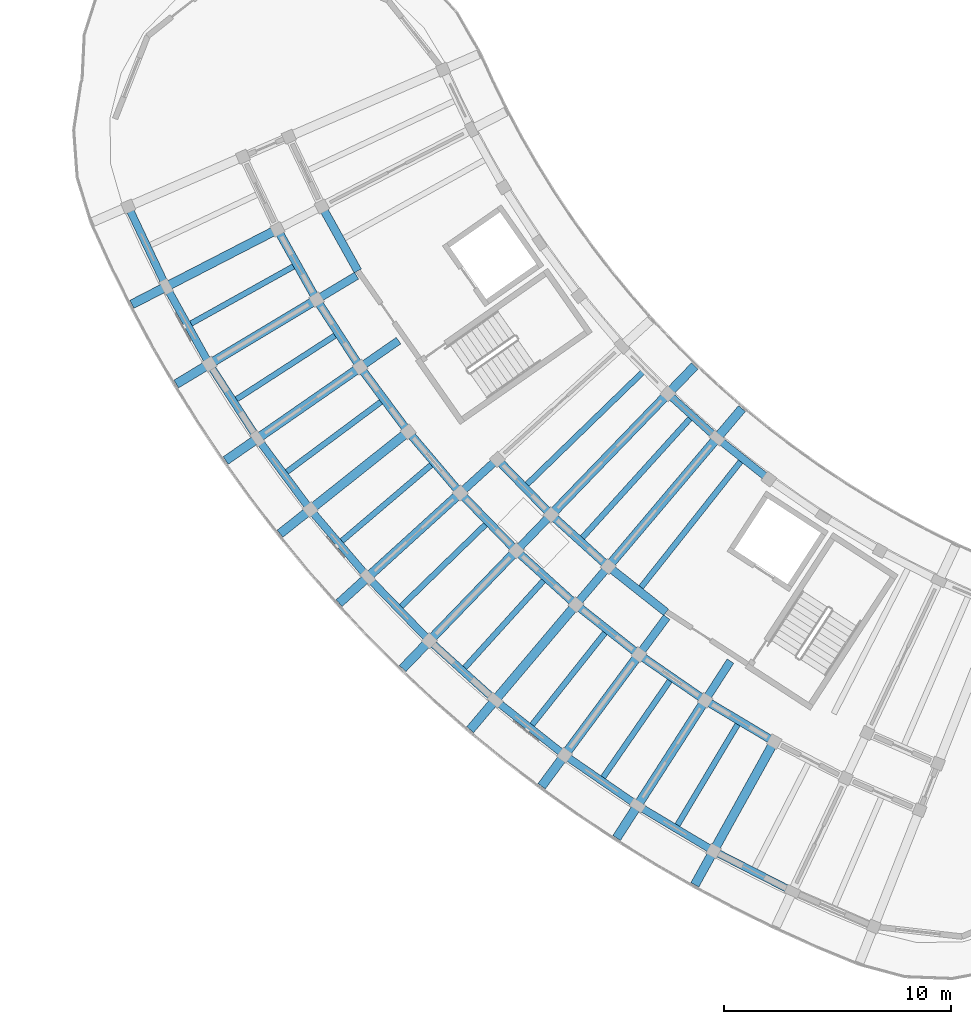
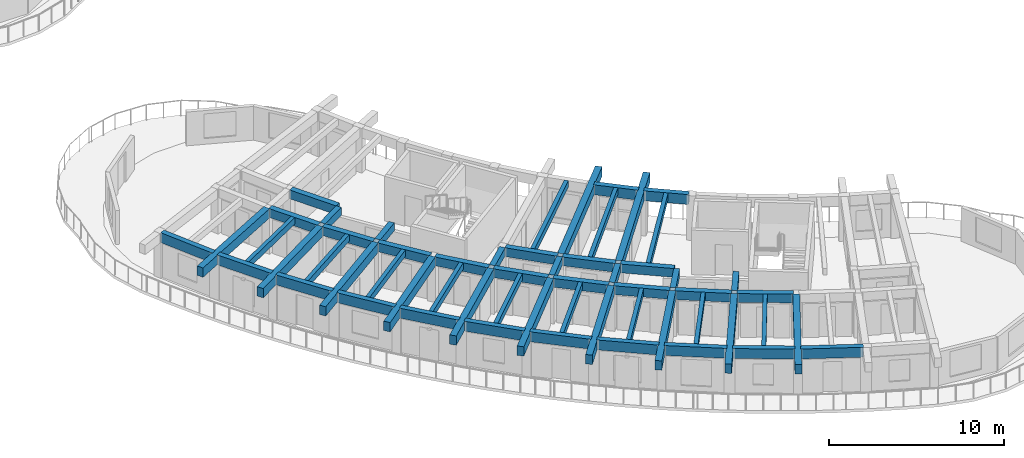
# One storey, part 3 of 56: 57 beams.
"""IFC4 building model written with IfcOpenShell, lengths in metres."""

from ifc_helpers import new_model, si_unit, direction, frame, origin, origin_2d, place, context, subcontext, project, spatial, rectangle, extrude, material, material_profile, profile_set, type_object, element, save


model = new_model("IFC4")

# Units and contexts
model_context = context("Model", 3, precision=1e-05, world=origin(), true_north=direction((0.0, 1.0)))
body_context = subcontext(model_context, "Body", "Model", "MODEL_VIEW")
ifc_project = project(units=[si_unit("LENGTHUNIT", "METRE"), si_unit("AREAUNIT", "SQUARE_METRE"), si_unit("VOLUMEUNIT", "CUBIC_METRE"), si_unit("PLANEANGLEUNIT", "RADIAN"), si_unit("MASSUNIT", "GRAM", prefix="KILO")], contexts=[model_context])

# Site, building, storey
site_placement = place(None, origin())
site = spatial("IfcSite", under=ifc_project, at=site_placement, CompositionType="ELEMENT")
building_placement = place(site_placement, origin())
building = spatial("IfcBuilding", under=site, at=building_placement, Name="Tanwirah Colonnade Gardens", CompositionType="ELEMENT")
storey_placement = place(building_placement, frame((0.0, 0.0, 29.0)))
storey = spatial("IfcBuildingStorey", under=building, at=storey_placement, Name="L08", CompositionType="ELEMENT", Elevation=29.0)

# Beams
ifc_material_1 = material(Name="Precast concrete C40/50", Category="concrete")
ifc_material_profile_1 = material_profile(ifc_material_1, rectangle(XDim=0.360107421875, YDim=0.610107421875, at=origin_2d()), Name="PC-BM 360x610")
ifc_profile_set_1 = profile_set([ifc_material_profile_1], Name="Precast concrete C40/50")
beam_type_1 = type_object("IfcBeamType", Name="BM-PC300", PredefinedType="BEAM", material=ifc_profile_set_1)
beam_1_placement = place(storey_placement, frame((18.9775390625, 40.628173828125, 2.81005859375), z_axis=(0.486708181837, -0.873564620239, 0.0), x_axis=(0.873564620239, 0.486708181837, 0.0)))
element("IfcBeam", 1, at=beam_1_placement, inside=storey, type_object=beam_type_1, Name="Block C L08 Circumferential Beam 3-R1", PredefinedType="BEAM", context=body_context, shape_type="SweptSolid", body=[
    extrude(rectangle(XDim=0.360107421875, YDim=0.610107421875, at=origin_2d()), origin(), (0.0, 0.0, 1.0), 3.093017578125),
])
for number, where, z_axis, x_axis, name in (
    (2, (17.021728515625, 39.620849609375, 2.81005859375), (0.486712025227, -0.873562478875, 0.0), (0.873562478875, 0.486712025227, 0.0), "Block C L08 Circumferential Beam 3-R2"),
    (3, (18.75146484375, 36.5361328125, 2.81005859375), (0.542825891173, -0.839845254718, 0.0), (0.839845254718, 0.542825891173, 0.0), "Block C L08 Circumferential Beam 4-R2"),
):
    element("IfcBeam", number, at=place(storey_placement, frame(where, z_axis=z_axis, x_axis=x_axis)), inside=storey, type_object=beam_type_1, Name=name, PredefinedType="BEAM", context=body_context, shape_type="SweptSolid", body=[
        extrude(rectangle(XDim=0.360107421875, YDim=0.610107421875, at=origin_2d()), origin(), (0.0, 0.0, 1.0), 3.23681640625),
    ])
beam_2_placement = place(storey_placement, frame((20.679443359375, 33.5712890625, 2.81005859375), z_axis=(0.596579473879, -0.802554005252, 0.0), x_axis=(0.802554005252, 0.596579473879, 0.0)))
element("IfcBeam", 4, at=beam_2_placement, inside=storey, type_object=beam_type_1, Name="Block C L08 Circumferential Beam 5-R2", PredefinedType="BEAM", context=body_context, shape_type="SweptSolid", body=[
    extrude(rectangle(XDim=0.360107421875, YDim=0.610107421875, at=origin_2d()), origin(), (0.0, 0.0, 1.0), 3.237060546875),
])
beam_3_placement = place(storey_placement, frame((22.797119140625, 30.73876953125, 2.81005859375), z_axis=(0.6478235549, -0.761790418499, 0.0), x_axis=(0.761790418499, 0.6478235549, 0.0)))
element("IfcBeam", 5, at=beam_3_placement, inside=storey, type_object=beam_type_1, Name="Block C L08 Circumferential Beam 6-R2", PredefinedType="BEAM", context=body_context, shape_type="SweptSolid", body=[
    extrude(rectangle(XDim=0.360107421875, YDim=0.610107421875, at=origin_2d()), origin(), (0.0, 0.0, 1.0), 3.23681640625),
])
beam_4_placement = place(storey_placement, frame((26.72412109375, 29.530029296875, 2.81005859375), z_axis=(0.696209937932, -0.71783822852, 0.0), x_axis=(0.71783822852, 0.696209937932, 0.0)))
element("IfcBeam", 6, at=beam_4_placement, inside=storey, type_object=beam_type_1, Name="Block C L08 Circumferential Beam 7-R1", PredefinedType="BEAM", context=body_context, shape_type="SweptSolid", body=[
    extrude(rectangle(XDim=0.360107421875, YDim=0.610107421875, at=origin_2d()), origin(), (0.0, 0.0, 1.0), 3.093017578125),
])
beam_5_placement = place(storey_placement, frame((25.095703125, 28.05078125, 2.81005859375), z_axis=(0.696238887656, -0.717810149911, 0.0), x_axis=(0.717810149911, 0.696238887656, 0.0)))
element("IfcBeam", 7, at=beam_5_placement, inside=storey, type_object=beam_type_1, Name="Block C L08 Circumferential Beam 7-R2", PredefinedType="BEAM", context=body_context, shape_type="SweptSolid", body=[
    extrude(rectangle(XDim=0.360107421875, YDim=0.610107421875, at=origin_2d()), origin(), (0.0, 0.0, 1.0), 3.23681640625),
])
beam_6_placement = place(storey_placement, frame((29.09326171875, 27.1015625, 2.81005859375), z_axis=(0.741698455559, -0.670733479873, 0.0), x_axis=(0.670733479873, 0.741698455559, 0.0)))
element("IfcBeam", 8, at=beam_6_placement, inside=storey, type_object=beam_type_1, Name="Block C L08 Circumferential Beam 8-R1", PredefinedType="BEAM", context=body_context, shape_type="SweptSolid", body=[
    extrude(rectangle(XDim=0.360107421875, YDim=0.610107421875, at=origin_2d()), origin(), (0.0, 0.0, 1.0), 3.0927734375),
])
beam_7_placement = place(storey_placement, frame((27.56494140625, 25.51904296875, 2.81005859375), z_axis=(0.741701929733, -0.670729638104, 0.0), x_axis=(0.670729638104, 0.741701929733, 0.0)))
element("IfcBeam", 9, at=beam_7_placement, inside=storey, type_object=beam_type_1, Name="Block C L08 Circumferential Beam 8-R2", PredefinedType="BEAM", context=body_context, shape_type="SweptSolid", body=[
    extrude(rectangle(XDim=0.360107421875, YDim=0.610107421875, at=origin_2d()), origin(), (0.0, 0.0, 1.0), 3.237060546875),
])
beam_8_placement = place(storey_placement, frame((31.615966796875, 24.833251953125, 2.81005859375), z_axis=(0.783962588163, -0.62080807047, 0.0), x_axis=(0.62080807047, 0.783962588163, 0.0)))
element("IfcBeam", 10, at=beam_8_placement, inside=storey, type_object=beam_type_1, Name="Block C L08 Circumferential Beam 9-R1", PredefinedType="BEAM", context=body_context, shape_type="SweptSolid", body=[
    extrude(rectangle(XDim=0.360107421875, YDim=0.610107421875, at=origin_2d()), origin(), (0.0, 0.0, 1.0), 3.093017578125),
])
beam_9_placement = place(storey_placement, frame((30.194580078125, 23.154052734375, 2.81005859375), z_axis=(0.783993819374, -0.620768629349, 0.0), x_axis=(0.620768629349, 0.783993819374, 0.0)))
element("IfcBeam", 11, at=beam_9_placement, inside=storey, type_object=beam_type_1, Name="Block C L08 Circumferential Beam 9-R2", PredefinedType="BEAM", context=body_context, shape_type="SweptSolid", body=[
    extrude(rectangle(XDim=0.360107421875, YDim=0.610107421875, at=origin_2d()), origin(), (0.0, 0.0, 1.0), 3.23681640625),
])
beam_10_placement = place(storey_placement, frame((32.97314453125, 20.96630859375, 2.81005859375), z_axis=(0.822889344221, -0.568201660651, 0.0), x_axis=(0.568201660651, 0.822889344221, 0.0)))
element("IfcBeam", 12, at=beam_10_placement, inside=storey, type_object=beam_type_1, Name="Block C L08 Circumferential Beam 10-R2", PredefinedType="BEAM", context=body_context, shape_type="SweptSolid", body=[
    extrude(rectangle(XDim=0.360107421875, YDim=0.610107421875, at=origin_2d()), origin(), (0.0, 0.0, 1.0), 3.237060546875),
])
beam_11_placement = place(storey_placement, frame((35.88916015625, 18.96484375, 2.81005859375), z_axis=(0.858270604513, -0.513197398111, 0.0), x_axis=(0.513197398111, 0.858270604513, 0.0)))
element("IfcBeam", 13, at=beam_11_placement, inside=storey, type_object=beam_type_1, Name="Block C L08 Circumferential Beam 11-R2", PredefinedType="BEAM", context=body_context, shape_type="SweptSolid", body=[
    extrude(rectangle(XDim=0.360107421875, YDim=0.610107421875, at=origin_2d()), origin(), (0.0, 0.0, 1.0), 3.23681640625),
])
ifc_material_profile_2 = material_profile(ifc_material_1, rectangle(XDim=0.35009765625, YDim=0.550048828125, at=origin_2d()), Name="PC-BM 350x550")
ifc_profile_set_2 = profile_set([ifc_material_profile_2], Name="Precast concrete C40/50")
beam_type_2 = type_object("IfcBeamType", Name="BM-PC350A", PredefinedType="BEAM", material=ifc_profile_set_2)
beam_12_placement = place(storey_placement, frame((20.42724609375, 37.718017578125, 2.840087890625), z_axis=(-0.857186654737, -0.515005863017, 0.0), x_axis=(0.515005863017, -0.857186654737, 0.0)))
element("IfcBeam", 14, at=beam_12_placement, inside=storey, type_object=beam_type_2, Name="Block C L08 Corridor Tie Beam 4", PredefinedType="BEAM", context=body_context, shape_type="SweptSolid", body=[
    extrude(rectangle(XDim=0.35009765625, YDim=0.550048828125, at=origin_2d()), origin(), (0.0, 0.0, 1.0), 1.89990234375),
])
beam_13_placement = place(storey_placement, frame((22.2744140625, 34.860107421875, 2.840087890625), z_axis=(-0.821669163201, -0.569964723684, 0.0), x_axis=(0.569964723684, -0.821669163201, 0.0)))
element("IfcBeam", 15, at=beam_13_placement, inside=storey, type_object=beam_type_2, Name="Block C L08 Corridor Tie Beam 5", PredefinedType="BEAM", context=body_context, shape_type="SweptSolid", body=[
    extrude(rectangle(XDim=0.35009765625, YDim=0.550048828125, at=origin_2d()), origin(), (0.0, 0.0, 1.0), 1.900146484375),
])
beam_14_placement = place(storey_placement, frame((26.508544921875, 29.536865234375, 2.840087890625), z_axis=(-0.740219127015, -0.672365707038, 0.0), x_axis=(0.672365707038, -0.740219127015, 0.0)))
element("IfcBeam", 16, at=beam_14_placement, inside=storey, type_object=beam_type_2, Name="Block C L08 Corridor Tie Beam 7", PredefinedType="BEAM", context=body_context, shape_type="SweptSolid", body=[
    extrude(rectangle(XDim=0.35009765625, YDim=0.550048828125, at=origin_2d()), origin(), (0.0, 0.0, 1.0), 1.899658203125),
])
beam_15_placement = place(storey_placement, frame((28.877685546875, 27.09423828125, 2.840087890625), z_axis=(-0.694663306685, -0.719335033448, 0.0), x_axis=(0.719335033448, -0.694663306685, 0.0)))
element("IfcBeam", 17, at=beam_15_placement, inside=storey, type_object=beam_type_2, Name="Block C L08 Corridor Tie Beam 8", PredefinedType="BEAM", context=body_context, shape_type="SweptSolid", body=[
    extrude(rectangle(XDim=0.35009765625, YDim=0.550048828125, at=origin_2d()), origin(), (0.0, 0.0, 1.0), 1.89990234375),
])
for number, where, z_axis, x_axis, name in (
    (18, (31.401611328125, 24.81201171875, 2.840087890625), (-0.646155325581, -0.763205932382, 0.0), (0.763205932382, -0.646155325581, 0.0), "Block C L08 Corridor Tie Beam 9"),
    (19, (34.0693359375, 22.699462890625, 2.840087890625), (-0.594889497099, -0.803807493273, 0.0), (0.803807493273, -0.594889497099, 0.0), "Block C L08 Corridor Tie Beam 10"),
):
    element("IfcBeam", number, at=place(storey_placement, frame(where, z_axis=z_axis, x_axis=x_axis)), inside=storey, type_object=beam_type_2, Name=name, PredefinedType="BEAM", context=body_context, shape_type="SweptSolid", body=[
        extrude(rectangle(XDim=0.35009765625, YDim=0.550048828125, at=origin_2d()), origin(), (0.0, 0.0, 1.0), 1.900146484375),
    ])
beam_16_placement = place(storey_placement, frame((36.869384765625, 20.765869140625, 2.840087890625), z_axis=(-0.540984881989, -0.841032316537, 0.0), x_axis=(0.841032316537, -0.540984881989, 0.0)))
element("IfcBeam", 20, at=beam_16_placement, inside=storey, type_object=beam_type_2, Name="Block C L08 Corridor Tie Beam 11", PredefinedType="BEAM", context=body_context, shape_type="SweptSolid", body=[
    extrude(rectangle(XDim=0.35009765625, YDim=0.550048828125, at=origin_2d()), origin(), (0.0, 0.0, 1.0), 1.89990234375),
])
ifc_material_2 = material(Name="Precast concrete C45/55", Category="concrete")
ifc_material_profile_3 = material_profile(ifc_material_2, rectangle(XDim=0.39990234375, YDim=0.64990234375, at=origin_2d()), Name="PC-BM 400x650")
ifc_profile_set_3 = profile_set([ifc_material_profile_3], Name="Precast concrete C45/55")
beam_type_3 = type_object("IfcBeamType", Name="BM-PC400", PredefinedType="BEAM", material=ifc_profile_set_3)
for number, where, z_axis, x_axis, name in (
    (21, (16.815185546875, 39.683349609375, 2.7900390625), (-0.889016420099, -0.457875315774, 0.0), (0.457875315774, -0.889016420099, 0.0), "Block C L08 Outer Radial Precast Girder 3"),
    (22, (18.54150390625, 36.5849609375, 2.7900390625), (-0.857159687729, -0.515050744812, 0.0), (0.515050744812, -0.857159687729, 0.0), "Block C L08 Outer Radial Precast Girder 4"),
    (23, (20.466796875, 33.606201171875, 2.7900390625), (-0.821647028495, -0.569996632066, 0.0), (0.569996632066, -0.821647028495, 0.0), "Block C L08 Outer Radial Precast Girder 5"),
):
    element("IfcBeam", number, at=place(storey_placement, frame(where, z_axis=z_axis, x_axis=x_axis)), inside=storey, type_object=beam_type_3, Name=name, PredefinedType="BEAM", context=body_context, shape_type="SweptSolid", body=[
        extrude(rectangle(XDim=0.39990234375, YDim=0.64990234375, at=origin_2d()), origin(), (0.0, 0.0, 1.0), 7.050048828125),
    ])
for number, where, z_axis, x_axis, name in (
    (24, (22.58251953125, 30.759765625, 2.7900390625), (-0.782609106384, -0.622513442911, 0.0), (0.622513442911, -0.782609106384, 0.0), "Block C L08 Outer Radial Precast Girder 6"),
    (25, (24.880126953125, 28.0576171875, 2.7900390625), (-0.740229899169, -0.672353847596, 0.0), (0.672353847596, -0.740229899169, 0.0), "Block C L08 Outer Radial Precast Girder 7"),
):
    element("IfcBeam", number, at=place(storey_placement, frame(where, z_axis=z_axis, x_axis=x_axis)), inside=storey, type_object=beam_type_3, Name=name, PredefinedType="BEAM", context=body_context, shape_type="SweptSolid", body=[
        extrude(rectangle(XDim=0.39990234375, YDim=0.64990234375, at=origin_2d()), origin(), (0.0, 0.0, 1.0), 7.0498046875),
    ])
beam_17_placement = place(storey_placement, frame((29.086181640625, 27.31005859375, 2.7900390625), z_axis=(0.694655848402, 0.719342235852, 0.0), x_axis=(-0.719342235852, 0.694655848402, 0.0)))
element("IfcBeam", 26, at=beam_17_placement, inside=storey, type_object=beam_type_3, Name="Block C L08 Inner Radial Precast Girder 8", PredefinedType="BEAM", context=body_context, shape_type="SweptSolid", body=[
    extrude(rectangle(XDim=0.39990234375, YDim=0.64990234375, at=origin_2d()), origin(), (0.0, 0.0, 1.0), 8.9501953125),
])
beam_18_placement = place(storey_placement, frame((27.349609375, 25.51171875, 2.7900390625), z_axis=(-0.69467114255, -0.719327466254, 0.0), x_axis=(0.719327466254, -0.69467114255, 0.0)))
element("IfcBeam", 27, at=beam_18_placement, inside=storey, type_object=beam_type_3, Name="Block C L08 Outer Radial Precast Girder 8", PredefinedType="BEAM", context=body_context, shape_type="SweptSolid", body=[
    extrude(rectangle(XDim=0.39990234375, YDim=0.64990234375, at=origin_2d()), origin(), (0.0, 0.0, 1.0), 7.050048828125),
])
beam_19_placement = place(storey_placement, frame((31.595458984375, 25.040771484375, 2.7900390625), z_axis=(0.64611097415, 0.763243479554, 0.0), x_axis=(-0.763243479554, 0.64611097415, 0.0)))
element("IfcBeam", 28, at=beam_19_placement, inside=storey, type_object=beam_type_3, Name="Block C L08 Inner Radial Precast Girder 9", PredefinedType="BEAM", context=body_context, shape_type="SweptSolid", body=[
    extrude(rectangle(XDim=0.39990234375, YDim=0.64990234375, at=origin_2d()), origin(), (0.0, 0.0, 1.0), 8.949951171875),
])
for number, where, z_axis, x_axis, name in (
    (29, (29.97998046875, 23.1328125, 2.7900390625), (-0.646119193339, -0.763236521663, 0.0), (0.763236521663, -0.646119193339, 0.0), "Block C L08 Outer Radial Precast Girder 9"),
    (30, (32.760498046875, 20.930908203125, 2.7900390625), (-0.594806754627, -0.803868723518, 0.0), (0.803868723518, -0.594806754627, 0.0), "Block C L08 Outer Radial Precast Girder 10"),
    (31, (35.67919921875, 18.915771484375, 2.7900390625), (-0.540976349149, -0.841037805132, 0.0), (0.841037805132, -0.540976349149, 0.0), "Block C L08 Outer Radial Precast Girder 11"),
):
    element("IfcBeam", number, at=place(storey_placement, frame(where, z_axis=z_axis, x_axis=x_axis)), inside=storey, type_object=beam_type_3, Name=name, PredefinedType="BEAM", context=body_context, shape_type="SweptSolid", body=[
        extrude(rectangle(XDim=0.39990234375, YDim=0.64990234375, at=origin_2d()), origin(), (0.0, 0.0, 1.0), 7.050048828125),
    ])
beam_20_placement = place(storey_placement, frame((38.723388671875, 17.095703125, 2.7900390625), z_axis=(-0.484804753745, -0.874622404667, 0.0), x_axis=(0.874622404667, -0.484804753745, 0.0)))
element("IfcBeam", 32, at=beam_20_placement, inside=storey, type_object=beam_type_3, Name="Block C L08 Outer Radial Precast Girder 12", PredefinedType="BEAM", context=body_context, shape_type="SweptSolid", body=[
    extrude(rectangle(XDim=0.39990234375, YDim=0.64990234375, at=origin_2d()), origin(), (0.0, 0.0, 1.0), 7.05029296875),
])
ifc_material_profile_4 = material_profile(ifc_material_1, rectangle(XDim=0.25, YDim=0.449951171875, at=origin_2d()), Name="PC-JST 250x450")
ifc_profile_set_4 = profile_set([ifc_material_profile_4], Name="Precast concrete C40/50")
beam_type_4 = type_object("IfcBeamType", Name="JST-PC250", PredefinedType="JOIST", material=ifc_profile_set_4)
for number, where, z_axis, x_axis, name in (
    (33, (17.67919921875, 38.134521484375, 2.889892578125), (-0.87356769437, -0.486702664214, 0.0), (0.486702664214, -0.87356769437, 0.0), "Block C L08 Precast Floor Joist 3"),
    (34, (19.5048828125, 35.09619140625, 2.889892578125), (-0.839842770955, -0.542829733963, 0.0), (0.542829733963, -0.839842770955, 0.0), "Block C L08 Precast Floor Joist 4"),
    (35, (21.525390625, 32.18359375, 2.889892578125), (-0.802560347737, -0.596570941499, 0.0), (0.596570941499, -0.802560347737, 0.0), "Block C L08 Precast Floor Joist 5"),
    (36, (23.732177734375, 29.409423828125, 2.889892578125), (-0.761803021124, -0.647808734895, 0.0), (0.647808734895, -0.761803021124, 0.0), "Block C L08 Precast Floor Joist 6"),
    (37, (26.115478515625, 26.785400390625, 2.889892578125), (-0.717816036263, -0.696232818878, 0.0), (0.696232818878, -0.717816036263, 0.0), "Block C L08 Precast Floor Joist 7"),
):
    element("IfcBeam", number, at=place(storey_placement, frame(where, z_axis=z_axis, x_axis=x_axis)), inside=storey, type_object=beam_type_4, Name=name, PredefinedType="JOIST", context=body_context, shape_type="SweptSolid", body=[
        extrude(rectangle(XDim=0.25, YDim=0.449951171875, at=origin_2d()), origin(), (0.0, 0.0, 1.0), 5.260009765625),
    ])
beam_21_placement = place(storey_placement, frame((33.006591796875, 33.46923828125, 2.889892578125), z_axis=(-0.717816218075, -0.69623263143, 0.0), x_axis=(0.69623263143, -0.717816218075, 0.0)))
element("IfcBeam", 38, at=beam_21_placement, inside=storey, type_object=beam_type_4, Name="Block C L08 Inner Precast Floor Joist 7", PredefinedType="JOIST", context=body_context, shape_type="SweptSolid", body=[
    extrude(rectangle(XDim=0.25, YDim=0.449951171875, at=origin_2d()), origin(), (0.0, 0.0, 1.0), 7.16015625),
])
beam_22_placement = place(storey_placement, frame((28.66552734375, 24.322998046875, 2.889892578125), z_axis=(-0.670780841255, -0.741655622918, 0.0), x_axis=(0.741655622918, -0.670780841255, 0.0)))
element("IfcBeam", 39, at=beam_22_placement, inside=storey, type_object=beam_type_4, Name="Block C L08 Precast Floor Joist 8", PredefinedType="JOIST", context=body_context, shape_type="SweptSolid", body=[
    extrude(rectangle(XDim=0.25, YDim=0.449951171875, at=origin_2d()), origin(), (0.0, 0.0, 1.0), 5.260009765625),
])
beam_23_placement = place(storey_placement, frame((35.104736328125, 31.443115234375, 2.889892578125), z_axis=(-0.670773136608, -0.741662591214, 0.0), x_axis=(0.741662591214, -0.670773136608, 0.0)))
element("IfcBeam", 40, at=beam_23_placement, inside=storey, type_object=beam_type_4, Name="Block C L08 Inner Precast Floor Joist 8", PredefinedType="JOIST", context=body_context, shape_type="SweptSolid", body=[
    extrude(rectangle(XDim=0.25, YDim=0.449951171875, at=origin_2d()), origin(), (0.0, 0.0, 1.0), 7.159912109375),
])
beam_24_placement = place(storey_placement, frame((31.370849609375, 22.03271484375, 2.889892578125), z_axis=(-0.620787347885, -0.783978997617, 0.0), x_axis=(0.783978997617, -0.620787347885, 0.0)))
element("IfcBeam", 41, at=beam_24_placement, inside=storey, type_object=beam_type_4, Name="Block C L08 Precast Floor Joist 9", PredefinedType="JOIST", context=body_context, shape_type="SweptSolid", body=[
    extrude(rectangle(XDim=0.25, YDim=0.449951171875, at=origin_2d()), origin(), (0.0, 0.0, 1.0), 5.260009765625),
])
beam_25_placement = place(storey_placement, frame((37.33056640625, 29.55859375, 2.889892578125), z_axis=(-0.620803379809, -0.783966302603, 0.0), x_axis=(0.783966302603, -0.620803379809, 0.0)))
element("IfcBeam", 42, at=beam_25_placement, inside=storey, type_object=beam_type_4, Name="Block C L08 Inner Precast Floor Joist 9", PredefinedType="JOIST", context=body_context, shape_type="SweptSolid", body=[
    extrude(rectangle(XDim=0.25, YDim=0.449951171875, at=origin_2d()), origin(), (0.0, 0.0, 1.0), 7.159912109375),
])
for number, where, z_axis, x_axis, name in (
    (43, (34.220458984375, 19.924072265625, 2.889892578125), (-0.56820792868, -0.822885016138, 0.0), (0.822885016138, -0.56820792868, 0.0), "Block C L08 Precast Floor Joist 10"),
    (44, (37.20166015625, 18.006591796875, 2.889892578125), (-0.513157303227, -0.858294577721, 0.0), (0.858294577721, -0.513157303227, 0.0), "Block C L08 Precast Floor Joist 11"),
):
    element("IfcBeam", number, at=place(storey_placement, frame(where, z_axis=z_axis, x_axis=x_axis)), inside=storey, type_object=beam_type_4, Name=name, PredefinedType="JOIST", context=body_context, shape_type="SweptSolid", body=[
        extrude(rectangle(XDim=0.25, YDim=0.449951171875, at=origin_2d()), origin(), (0.0, 0.0, 1.0), 5.260009765625),
    ])
ifc_material_profile_5 = material_profile(ifc_material_1, rectangle(XDim=0.330078125, YDim=0.68994140625, at=origin_2d()), Name="PC-SP 330x690")
ifc_profile_set_5 = profile_set([ifc_material_profile_5], Name="Precast concrete C40/50")
beam_type_5 = type_object("IfcBeamType", Name="SP-PC280", PredefinedType="SPANDREL", material=ifc_profile_set_5)
for number, where, z_axis, x_axis, name in (
    (45, (10.453369140625, 40.618896484375, 2.77001953125), (0.428518139447, -0.903533178231, 0.0), (0.903533178231, 0.428518139447, 0.0), "Block C L08 Circumferential Beam 2-R3"),
    (46, (12.132080078125, 37.1025390625, 2.77001953125), (0.486679958674, -0.87358034423, 0.0), (0.87358034423, 0.486679958674, 0.0), "Block C L08 Circumferential Beam 3-R3"),
):
    element("IfcBeam", number, at=place(storey_placement, frame(where, z_axis=z_axis, x_axis=x_axis)), inside=storey, type_object=beam_type_5, Name=name, PredefinedType="SPANDREL", context=body_context, shape_type="SweptSolid", body=[
        extrude(rectangle(XDim=0.330078125, YDim=0.68994140625, at=origin_2d()), origin(), (0.0, 0.0, 1.0), 3.5966796875),
    ])
for number, where, z_axis, x_axis, name in (
    (47, (14.037109375, 33.70361328125, 2.77001953125), (0.542786838894, -0.839870494495, 0.0), (0.839870494495, 0.542786838894, 0.0), "Block C L08 Circumferential Beam 4-R3"),
    (48, (16.160400390625, 30.436279296875, 2.77001953125), (0.596562665898, -0.802566499212, 0.0), (0.802566499212, 0.596562665898, 0.0), "Block C L08 Circumferential Beam 5-R3"),
):
    element("IfcBeam", number, at=place(storey_placement, frame(where, z_axis=z_axis, x_axis=x_axis)), inside=storey, type_object=beam_type_5, Name=name, PredefinedType="SPANDREL", context=body_context, shape_type="SweptSolid", body=[
        extrude(rectangle(XDim=0.330078125, YDim=0.68994140625, at=origin_2d()), origin(), (0.0, 0.0, 1.0), 3.596923828125),
    ])
for number, where, z_axis, x_axis, name in (
    (49, (18.492919921875, 27.31494140625, 2.77001953125), (0.647784367984, -0.76182374116, 0.0), (0.76182374116, 0.647784367984, 0.0), "Block C L08 Circumferential Beam 6-R3"),
    (50, (21.0244140625, 24.352783203125, 2.77001953125), (0.696231699401, -0.717817122079, 0.0), (0.717817122079, 0.696231699401, 0.0), "Block C L08 Circumferential Beam 7-R3"),
):
    element("IfcBeam", number, at=place(storey_placement, frame(where, z_axis=z_axis, x_axis=x_axis)), inside=storey, type_object=beam_type_5, Name=name, PredefinedType="SPANDREL", context=body_context, shape_type="SweptSolid", body=[
        extrude(rectangle(XDim=0.330078125, YDim=0.68994140625, at=origin_2d()), origin(), (0.0, 0.0, 1.0), 3.5966796875),
    ])
beam_26_placement = place(storey_placement, frame((34.233642578125, 32.4248046875, 2.77001953125), z_axis=(0.741686528432, -0.670746668678, 0.0), x_axis=(0.670746668678, 0.741686528432, 0.0)))
element("IfcBeam", 51, at=beam_26_placement, inside=storey, type_object=beam_type_5, Name="Block C L08 Circumferential Beam 8-R0", PredefinedType="SPANDREL", context=body_context, shape_type="SweptSolid", body=[
    extrude(rectangle(XDim=0.330078125, YDim=0.68994140625, at=origin_2d()), origin(), (0.0, 0.0, 1.0), 2.608642578125),
])
beam_27_placement = place(storey_placement, frame((23.744384765625, 21.562744140625, 2.77001953125), z_axis=(0.741682092868, -0.670751573325, 0.0), x_axis=(0.670751573325, 0.741682092868, 0.0)))
element("IfcBeam", 52, at=beam_27_placement, inside=storey, type_object=beam_type_5, Name="Block C L08 Circumferential Beam 8-R3", PredefinedType="SPANDREL", context=body_context, shape_type="SweptSolid", body=[
    extrude(rectangle(XDim=0.330078125, YDim=0.68994140625, at=origin_2d()), origin(), (0.0, 0.0, 1.0), 3.596923828125),
])
beam_28_placement = place(storey_placement, frame((36.3974609375, 30.481201171875, 2.77001953125), z_axis=(0.783945239852, -0.62082997746, 0.0), x_axis=(0.62082997746, 0.783945239852, 0.0)))
element("IfcBeam", 53, at=beam_28_placement, inside=storey, type_object=beam_type_5, Name="Block C L08 Circumferential Beam 9-R0", PredefinedType="SPANDREL", context=body_context, shape_type="SweptSolid", body=[
    extrude(rectangle(XDim=0.330078125, YDim=0.68994140625, at=origin_2d()), origin(), (0.0, 0.0, 1.0), 2.60888671875),
])
for number, where, z_axis, x_axis, name in (
    (54, (26.640869140625, 18.956298828125, 2.77001953125), (0.783971495357, -0.620796822211, 0.0), (0.620796822211, 0.783971495357, 0.0), "Block C L08 Circumferential Beam 9-R3"),
    (55, (29.70166015625, 16.545166015625, 2.77001953125), (0.822907478943, -0.568175396423, 0.0), (0.568175396423, 0.822907478943, 0.0), "Block C L08 Circumferential Beam 10-R3"),
):
    element("IfcBeam", number, at=place(storey_placement, frame(where, z_axis=z_axis, x_axis=x_axis)), inside=storey, type_object=beam_type_5, Name=name, PredefinedType="SPANDREL", context=body_context, shape_type="SweptSolid", body=[
        extrude(rectangle(XDim=0.330078125, YDim=0.68994140625, at=origin_2d()), origin(), (0.0, 0.0, 1.0), 3.596923828125),
    ])
for number, where, z_axis, x_axis, name in (
    (56, (32.913818359375, 14.339111328125, 2.77001953125), (0.858282522832, -0.513177465407, 0.0), (0.513177465407, 0.858282522832, 0.0), "Block C L08 Circumferential Beam 11-R3"),
    (57, (36.26318359375, 12.347900390625, 2.77001953125), (0.890013134589, -0.455934885985, 0.0), (0.455934885985, 0.890013134589, 0.0), "Block C L08 Circumferential Beam 12-R3"),
):
    element("IfcBeam", number, at=place(storey_placement, frame(where, z_axis=z_axis, x_axis=x_axis)), inside=storey, type_object=beam_type_5, Name=name, PredefinedType="SPANDREL", context=body_context, shape_type="SweptSolid", body=[
        extrude(rectangle(XDim=0.330078125, YDim=0.68994140625, at=origin_2d()), origin(), (0.0, 0.0, 1.0), 3.5966796875),
    ])

save(model, "model.ifc")
